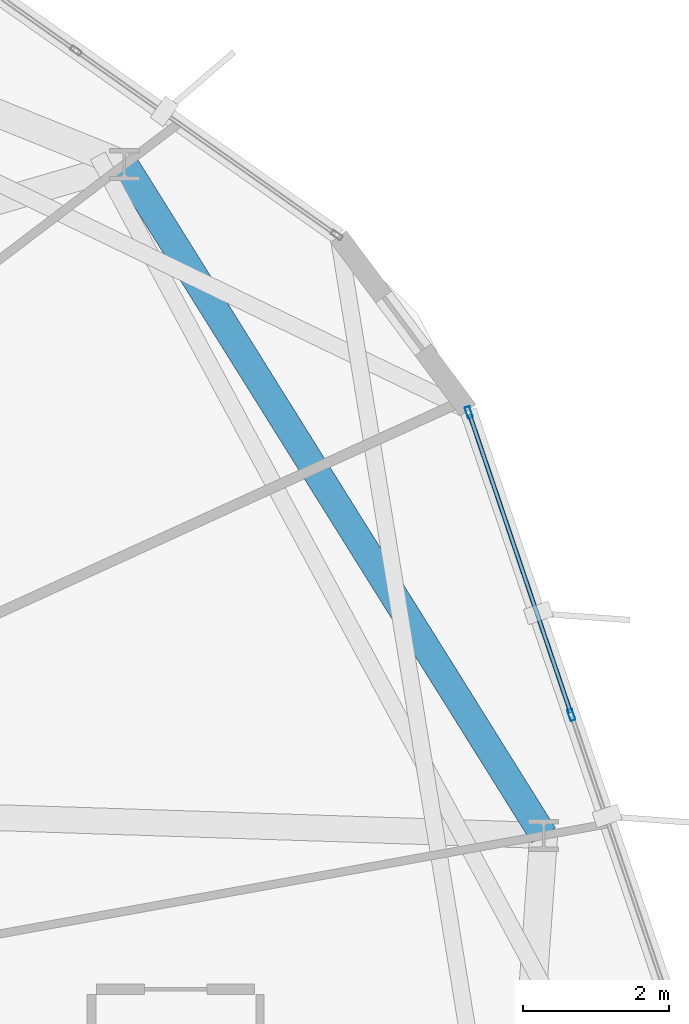
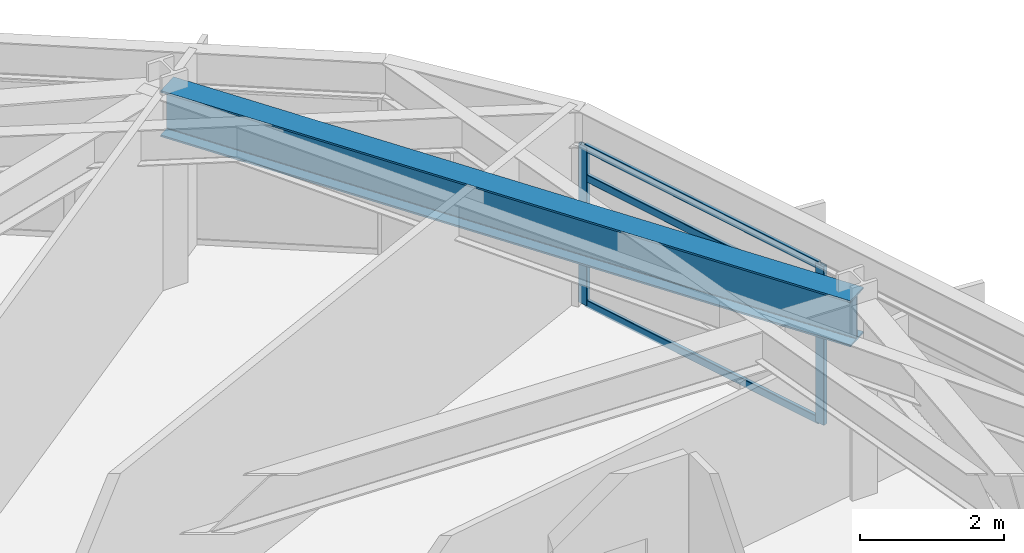
# One storey, part 14 of 27: 5 members, 1 beam, 1 element without a shape of its own.
"""IFC4 building model written with IfcOpenShell, lengths in metres."""

from ifc_helpers import new_model, si_unit, direction, frame, origin, origin_2d, place, context, subcontext, project, spatial, hollow_rectangle, i_section, extrude, material, layer, layer_set, material_profile, profile_set, type_object, element, aggregate, save


model = new_model("IFC4")

# Units and contexts
model_context = context("Model", 3, precision=1e-05, world=origin(), true_north=direction((0.0, 1.0)))
body_context = subcontext(model_context, "Body", "Model", "MODEL_VIEW")
ifc_project = project(units=[si_unit("LENGTHUNIT", "METRE"), si_unit("AREAUNIT", "SQUARE_METRE"), si_unit("VOLUMEUNIT", "CUBIC_METRE"), si_unit("PLANEANGLEUNIT", "RADIAN"), si_unit("MASSUNIT", "GRAM", prefix="KILO")], contexts=[model_context])

# Site, building, storey
site_placement = place(None, origin())
site = spatial("IfcSite", under=ifc_project, at=site_placement, CompositionType="ELEMENT")
building_placement = place(site_placement, origin())
building = spatial("IfcBuilding", under=site, at=building_placement, Name="Soratama Intermodal Tower", CompositionType="ELEMENT")
storey_placement = place(building_placement, frame((0.0, 0.0, 167.800048828125)))
storey = spatial("IfcBuildingStorey", under=building, at=storey_placement, Name="L41", CompositionType="ELEMENT", Elevation=167.800048828125)

# Beam
ifc_material_1 = material(Name="Structural steel ASTM A992 Grade 50", Category="steel")
ifc_material_profile_1 = material_profile(ifc_material_1, i_section(OverallWidth=0.382080078125, OverallDepth=0.779052734375, WebThickness=0.01806640625, FlangeThickness=0.030029296875, FilletRadius=0.01806640625, at=origin_2d()), Name="W30X191")
ifc_profile_set_1 = profile_set([ifc_material_profile_1], Name="Structural steel ASTM A992 Grade 50")
beam_type = type_object("IfcBeamType", Name="BM-RING-W30X191", PredefinedType="BEAM", material=ifc_profile_set_1)
beam_placement = place(storey_placement, frame((61.97998046875, 29.23388671875, 2.910400390625), z_axis=(-0.529891394359, 0.84806551055, 0.0), x_axis=(-0.84806551055, -0.529891394359, 0.0)))
element("IfcBeam", 1, at=beam_placement, inside=storey, type_object=beam_type, Name="BM-L41-RING-01", PredefinedType="BEAM", context=body_context, shape_type="SweptSolid", body=[
    extrude(i_section(OverallWidth=0.382080078125, OverallDepth=0.779052734375, WebThickness=0.01806640625, FlangeThickness=0.030029296875, FilletRadius=0.01806640625, at=origin_2d()), origin(), (0.0, 0.0, 1.0), 10.8154296875),
])

# Curtain wall, members
ifc_material_2 = material(Name="Double-glazed aluminium curtain wall", Category="aluminium")
ifc_layer = layer(ifc_material_2, 0.159912109375)
ifc_layer_set = layer_set([ifc_layer], Name="Double-glazed aluminium curtain wall")
curtain_wall_type = type_object("IfcCurtainWallType", Name="CW-SYS-4", PredefinedType="NOTDEFINED", material=ifc_layer_set)
curtain_wall_placement = place(storey_placement, origin())
curtain_wall = element("IfcCurtainWall", 2, at=curtain_wall_placement, inside=storey, type_object=curtain_wall_type, Name="L41 Faceted Curtain Wall F10", PredefinedType="NOTDEFINED")
ifc_material_3 = material(Name="Anodised aluminium AA 6063-T6", Category="aluminium")
ifc_material_profile_2 = material_profile(ifc_material_3, hollow_rectangle(XDim=0.070068359375, YDim=0.159912109375, WallThickness=0.0048828125, InnerFilletRadius=0.0048828125, OuterFilletRadius=0.010009765625, at=origin_2d()), Name="CWM160X70X5")
ifc_profile_set_2 = profile_set([ifc_material_profile_2], Name="Anodised aluminium AA 6063-T6")
member_type_1 = type_object("IfcMemberType", Name="MT-CWM-4", PredefinedType="MULLION", material=ifc_profile_set_2)
member_1_placement = place(storey_placement, frame((62.359375, 30.882568359375, 0.0), z_axis=(0.0, 0.0, 1.0), x_axis=(-0.947099636849, -0.320939679503, 0.0)))
member_1 = element("IfcMember", 3, at=member_1_placement, type_object=member_type_1, Name="CW-4 mullion 2", PredefinedType="MULLION", context=body_context, shape_type="SweptSolid", body=[
    extrude(hollow_rectangle(XDim=0.070068359375, YDim=0.159912109375, WallThickness=0.0048828125, InnerFilletRadius=0.0048828125, OuterFilletRadius=0.010009765625, at=origin_2d()), origin(), (0.0, 0.0, 1.0), 2.678955078125),
])
member_2_placement = place(storey_placement, frame((60.958251953125, 35.017578125, 0.0), z_axis=(0.0, 0.0, 1.0), x_axis=(-0.947099636849, -0.320939679503, 0.0)))
member_2 = element("IfcMember", 4, at=member_2_placement, type_object=member_type_1, Name="CW-4 mullion 3", PredefinedType="MULLION", context=body_context, shape_type="SweptSolid", body=[
    extrude(hollow_rectangle(XDim=0.070068359375, YDim=0.159912109375, WallThickness=0.0048828125, InnerFilletRadius=0.0048828125, OuterFilletRadius=0.010009765625, at=origin_2d()), origin(), (0.0, 0.0, 1.0), 2.678955078125),
])
ifc_material_4 = material(Name="Anodised aluminium AA 6063-T6", Category="aluminium")
ifc_material_profile_3 = material_profile(ifc_material_4, hollow_rectangle(XDim=0.06005859375, YDim=0.1298828125, WallThickness=0.0048828125, InnerFilletRadius=0.0048828125, OuterFilletRadius=0.010009765625, at=origin_2d()), Name="CWT130X60X5")
ifc_profile_set_3 = profile_set([ifc_material_profile_3], Name="Anodised aluminium AA 6063-T6")
member_type_2 = type_object("IfcMemberType", Name="TT-CWT-2", PredefinedType="USERDEFINED", material=ifc_profile_set_3)
member_3_placement = place(storey_placement, frame((62.349853515625, 30.9111328125, 0.030029296875), z_axis=(-0.32098669927, 0.947083702157, 0.0), x_axis=(-0.947083702157, -0.32098669927, 0.0)))
member_3 = element("IfcMember", 5, at=member_3_placement, type_object=member_type_2, Name="CW-4 transom 2.1", ObjectType="TRANSOM", PredefinedType="USERDEFINED", context=body_context, shape_type="SweptSolid", body=[
    extrude(hollow_rectangle(XDim=0.06005859375, YDim=0.1298828125, WallThickness=0.0048828125, InnerFilletRadius=0.0048828125, OuterFilletRadius=0.010009765625, at=origin_2d()), origin(), (0.0, 0.0, 1.0), 4.3056640625),
])
member_4_placement = place(storey_placement, frame((62.349853515625, 30.9111328125, 2.14990234375), z_axis=(-0.32098669927, 0.947083702157, 0.0), x_axis=(-0.947083702157, -0.32098669927, 0.0)))
member_4 = element("IfcMember", 6, at=member_4_placement, type_object=member_type_2, Name="CW-4 transom 2.2", ObjectType="TRANSOM", PredefinedType="USERDEFINED", context=body_context, shape_type="SweptSolid", body=[
    extrude(hollow_rectangle(XDim=0.06005859375, YDim=0.1298828125, WallThickness=0.0048828125, InnerFilletRadius=0.0048828125, OuterFilletRadius=0.010009765625, at=origin_2d()), origin(), (0.0, 0.0, 1.0), 4.3056640625),
])
member_5_placement = place(storey_placement, frame((62.349853515625, 30.9111328125, 2.64892578125), z_axis=(-0.32098669927, 0.947083702157, 0.0), x_axis=(-0.947083702157, -0.32098669927, 0.0)))
member_5 = element("IfcMember", 7, at=member_5_placement, type_object=member_type_2, Name="CW-4 transom 2.3", ObjectType="TRANSOM", PredefinedType="USERDEFINED", context=body_context, shape_type="SweptSolid", body=[
    extrude(hollow_rectangle(XDim=0.06005859375, YDim=0.1298828125, WallThickness=0.0048828125, InnerFilletRadius=0.0048828125, OuterFilletRadius=0.010009765625, at=origin_2d()), origin(), (0.0, 0.0, 1.0), 4.3056640625),
])
aggregate(curtain_wall, [member_1, member_2, member_3, member_4, member_5])

save(model, "model.ifc")
